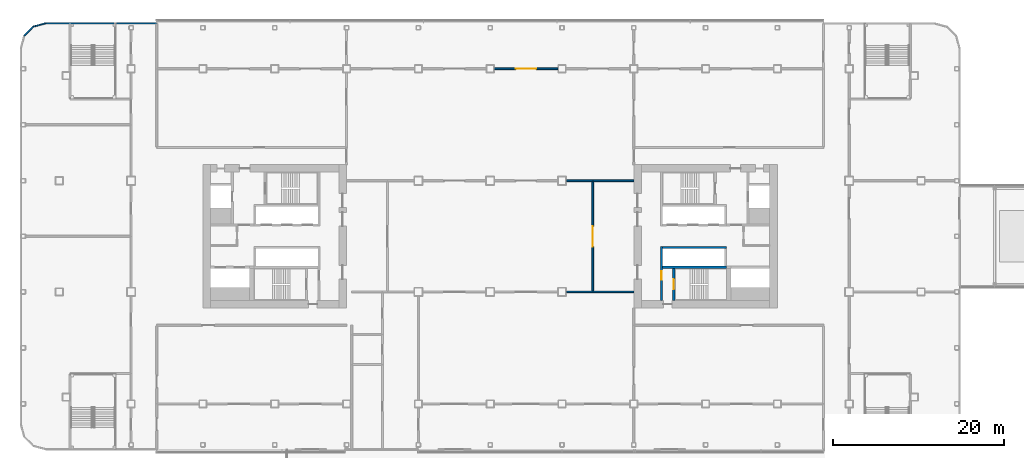
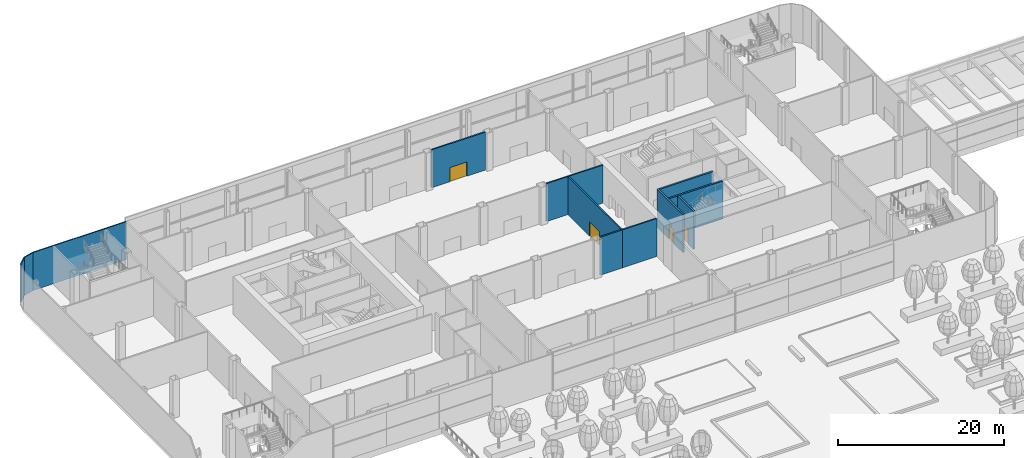
# One storey, part 35 of 100: 13 walls, 4 doors, 4 openings.
"""IFC4 building model written with IfcOpenShell, lengths in metres."""

import ifcopenshell
import ifcopenshell.guid

model = None  # the IFC model being written
_history = None  # IfcOwnerHistory: only IFC2X3 demands one
_inside = {}  # id of a spatial element -> (the spatial element, [elements in it])
_under = {}  # id of a project, library or spatial element -> (it, [spatial elements below it])
_declared = {}  # id of a project -> (the project, [libraries it declares])
_typed = {}  # id of a type object -> (the type object, [elements of that type])
_made_of = {}  # id of a material, layer set ... -> (it, [elements and type objects made of it])


def new_model(schema):
    """Start an empty IFC model of exactly this schema.

    Asked for "IFC4X3", IfcOpenShell would pick the latest addendum, in which some entities
    have other attributes; the version numbers below select the first issue.
    IFC2X3 requires an IfcOwnerHistory on every rooted entity: one is made here for all.
    """
    global model, _history
    if schema == "IFC4X3":
        model = ifcopenshell.file(schema_version=(4, 3, 0, 0))
    else:
        model = ifcopenshell.file(schema=schema)
    _inside.clear()
    _under.clear()
    _declared.clear()
    _typed.clear()
    _made_of.clear()
    _history = None
    if model.schema == "IFC2X3":
        org = make("IfcOrganization", Name="unknown")
        user = make(
            "IfcPersonAndOrganization",
            ThePerson=make("IfcPerson", FamilyName="unknown"),
            TheOrganization=org,
        )
        app = make(
            "IfcApplication",
            ApplicationDeveloper=org,
            Version="unknown",
            ApplicationFullName="unknown",
            ApplicationIdentifier="unknown",
        )
        _history = make(
            "IfcOwnerHistory",
            OwningUser=user,
            OwningApplication=app,
            ChangeAction="ADDED",
            CreationDate=0,
        )
    return model


def make(cls, **values):
    """One entity of the class cls with the attributes given. An attribute that is None is left unset."""
    return model.create_entity(
        cls, **{name: value for name, value in values.items() if value is not None}
    )


def rooted(cls, **values):
    """An entity with a GlobalId (a new one), such as an element, a storey or a relation."""
    return make(cls, GlobalId=ifcopenshell.guid.new(), OwnerHistory=_history, **values)


def si_unit(unit_type, name, prefix=None):
    """IfcSIUnit, for example si_unit("LENGTHUNIT", "METRE", prefix="MILLI")."""
    return make("IfcSIUnit", UnitType=unit_type, Prefix=prefix, Name=name)


def assignment(units):
    """IfcUnitAssignment: the units of a project."""
    return None if units is None else make("IfcUnitAssignment", Units=units)


def point(xyz):
    """IfcCartesianPoint."""
    return None if xyz is None else make("IfcCartesianPoint", Coordinates=xyz)


def direction(xyz):
    """IfcDirection."""
    return None if xyz is None else make("IfcDirection", DirectionRatios=xyz)


def frame(location, z_axis=None, x_axis=None):
    """IfcAxis2Placement3D, a coordinate frame: its origin and axes. An axis left out is left unset."""
    return make(
        "IfcAxis2Placement3D",
        Location=point(location),
        Axis=direction(z_axis),
        RefDirection=direction(x_axis),
    )


def frame_2d(location, x_axis=None):
    """IfcAxis2Placement2D, a coordinate frame in the plane: its origin and x axis."""
    return make(
        "IfcAxis2Placement2D", Location=point(location), RefDirection=direction(x_axis)
    )


def origin():
    """The frame at (0, 0, 0) with its axes left unset."""
    return frame((0.0, 0.0, 0.0))


def place(relative_to, where):
    """IfcLocalPlacement: puts the frame where relative to a parent placement (None: the world)."""
    return make(
        "IfcLocalPlacement", PlacementRelTo=relative_to, RelativePlacement=where
    )


def context(
    kind, dimensions, precision=None, world=None, true_north=None, identifier=None
):
    """IfcGeometricRepresentationContext, for example the 3D "Model" context."""
    return make(
        "IfcGeometricRepresentationContext",
        ContextIdentifier=identifier,
        ContextType=kind,
        CoordinateSpaceDimension=dimensions,
        Precision=precision,
        WorldCoordinateSystem=world,
        TrueNorth=true_north,
    )


def subcontext(parent, identifier, kind, view, scale=None):
    """IfcGeometricRepresentationSubContext, for example "Body" below "Model"."""
    return make(
        "IfcGeometricRepresentationSubContext",
        ContextIdentifier=identifier,
        ContextType=kind,
        ParentContext=parent,
        TargetScale=scale,
        TargetView=view,
    )


def project(units=None, contexts=None):
    """IfcProject with its units and contexts."""
    return rooted(
        "IfcProject",
        Name="project",
        RepresentationContexts=contexts,
        UnitsInContext=assignment(units),
    )


def spatial(cls, under=None, at=None, **own):
    """A site, building, storey or space (cls), placed at a placement, below another one or the project."""
    s = rooted(cls, ObjectPlacement=at, **own)
    if under is not None:
        _under.setdefault(under.id(), (under, []))[1].append(s)
    return s


def profile(cls, at=None, kind="AREA", **sizes):
    """A parametric profile (cls). Its sizes go by their IFC names, for example OverallWidth=200.0."""
    return make(cls, ProfileType=kind, Position=at, **sizes)


def rectangle(**sizes):
    """IfcRectangleProfileDef."""
    return profile("IfcRectangleProfileDef", **sizes)


def extrude(swept, where, along, depth):
    """IfcExtrudedAreaSolid: the profile swept, set in the frame where, extruded along a direction by depth."""
    return make(
        "IfcExtrudedAreaSolid",
        SweptArea=swept,
        Position=where,
        ExtrudedDirection=direction(along),
        Depth=depth,
    )


def shape(context_of_items, identifier, shape_type, items):
    """IfcShapeRepresentation: the items that make up one representation, for example the "Body"."""
    return make(
        "IfcShapeRepresentation",
        ContextOfItems=context_of_items,
        RepresentationIdentifier=identifier,
        RepresentationType=shape_type,
        Items=items,
    )


def material(Name=None, Category=None):
    """IfcMaterial."""
    return make("IfcMaterial", Name=Name, Category=Category)


def layer(
    of_material, thickness, ventilated=None, Name=None, Category=None, Priority=None
):
    """IfcMaterialLayer: one layer of a wall or slab, of a material (None: an air gap)."""
    return make(
        "IfcMaterialLayer",
        Material=of_material,
        LayerThickness=thickness,
        IsVentilated=ventilated,
        Name=Name,
        Category=Category,
        Priority=Priority,
    )


def layer_set(layers, Name=None):
    """IfcMaterialLayerSet."""
    return make("IfcMaterialLayerSet", MaterialLayers=layers, LayerSetName=Name)


def made_of(thing, what):
    """Note that an element or type object is made of a material, layer set ...; save() writes the relation."""
    if what is not None:
        _made_of.setdefault(what.id(), (what, []))[1].append(thing)
    return thing


def type_object(cls, material=None, **own):
    """A type object (cls), such as IfcWallType, which elements share."""
    return made_of(rooted(cls, **own), material)


def element(
    cls,
    number,
    at=None,
    inside=None,
    cuts=None,
    type_object=None,
    material=None,
    context=None,
    identifier="Body",
    shape_type=None,
    held_by="IfcProductDefinitionShape",
    body=None,
    shapes=None,
    **own,
):
    """One element of the class cls, such as IfcWall. Its Tag is "e" and its number.

    at: its placement. inside: the storey or other place that contains it. cuts: it is an
    opening in that element (IfcRelVoidsElement). A single representation is given by context,
    identifier, shape_type and body (its items); several are given by shapes. held_by: the class
    of the entity that holds the representations. save() writes the other relations.
    """
    e = rooted(cls, Tag="e%d" % number, ObjectPlacement=at, **own)
    if body is not None:
        shapes = [shape(context, identifier, shape_type, body)]
    if shapes is not None:
        e.Representation = make(held_by, Representations=shapes)
    if inside is not None:
        _inside.setdefault(inside.id(), (inside, []))[1].append(e)
    if cuts is not None:
        rooted(
            "IfcRelVoidsElement", RelatingBuildingElement=cuts, RelatedOpeningElement=e
        )
    if type_object is not None:
        _typed.setdefault(type_object.id(), (type_object, []))[1].append(e)
    return made_of(e, material)


def fill(opening, filler):
    """IfcRelFillsElement: the door or window that sits in an opening."""
    return rooted(
        "IfcRelFillsElement",
        RelatingOpeningElement=opening,
        RelatedBuildingElement=filler,
    )


def aggregate(whole, parts):
    """IfcRelAggregates: a whole, such as a stair, and the parts it consists of."""
    return rooted("IfcRelAggregates", RelatingObject=whole, RelatedObjects=parts)


def save(model, path):
    """Write the relations noted so far, then the file.

    IfcRelAggregates (storeys below a building ...), IfcRelContainedInSpatialStructure (elements
    in a storey), IfcRelDefinesByType, IfcRelAssociatesMaterial and IfcRelDeclares: one each for
    every whole, place, type object, material and project.
    """
    for whole, parts in _under.values():
        aggregate(whole, parts)
    for where, things in _inside.values():
        rooted(
            "IfcRelContainedInSpatialStructure",
            RelatedElements=things,
            RelatingStructure=where,
        )
    for kind, things in _typed.values():
        rooted("IfcRelDefinesByType", RelatedObjects=things, RelatingType=kind)
    for what, things in _made_of.values():
        rooted("IfcRelAssociatesMaterial", RelatedObjects=things, RelatingMaterial=what)
    for by, libraries in _declared.values():
        rooted("IfcRelDeclares", RelatingContext=by, RelatedDefinitions=libraries)
    model.write(path)


model = new_model("IFC4")

# Units and contexts
model_context = context("Model", 3, precision=1e-05, world=origin(), true_north=direction((0.0, 1.0)))
body_context = subcontext(model_context, "Body", "Model", "MODEL_VIEW")
ifc_project = project(units=[si_unit("LENGTHUNIT", "METRE"), si_unit("AREAUNIT", "SQUARE_METRE"), si_unit("VOLUMEUNIT", "CUBIC_METRE"), si_unit("PLANEANGLEUNIT", "RADIAN"), si_unit("MASSUNIT", "GRAM", prefix="KILO")], contexts=[model_context])

# Site, building, storey
site_placement = place(None, origin())
site = spatial("IfcSite", under=ifc_project, at=site_placement, CompositionType="ELEMENT")
building_placement = place(site_placement, origin())
building = spatial("IfcBuilding", under=site, at=building_placement, Name="Hakoniwa Tower and Hamabe Station Hall", CompositionType="ELEMENT")
storey_placement = place(building_placement, frame((0.0, 0.0, 9.0)))
storey = spatial("IfcBuildingStorey", under=building, at=storey_placement, Name="L02", CompositionType="ELEMENT", Elevation=9.0)

# Wall, opening, door
ifc_material_1 = material(Name="Concrete C80", Category="concrete")
ifc_layer_1 = layer(ifc_material_1, 0.25)
ifc_layer_set_1 = layer_set([ifc_layer_1], Name="CORE WEB WALL 250 C80")
wall_type_1 = type_object("IfcWallType", Name="CORE WEB WALL 250 C80", PredefinedType="SHEAR", material=ifc_layer_set_1)
wall_1_placement = place(storey_placement, frame((20.02490234375, -7.5, 0.0), z_axis=(0.0, 0.0, 1.0), x_axis=(0.0, 1.0, 0.0)))
wall_1 = element("IfcWall", 1, at=wall_1_placement, inside=storey, type_object=wall_type_1, Name="Core wall W1S east", PredefinedType="SHEAR", context=body_context, shape_type="SweptSolid", body=[
    extrude(rectangle(XDim=6.300048828125, YDim=0.25, at=frame_2d((3.14990234375, 0.0))), origin(), (0.0, 0.0, 1.0), 5.60009765625),
])
opening_1_placement = place(wall_1_placement, frame((2.39990234375, 0.0, 0.0)))
opening_1 = element("IfcOpeningElement", 2, at=opening_1_placement, cuts=wall_1, Name="Opening CD-E-VS-10", PredefinedType="OPENING", context=body_context, shape_type="SweptSolid", body=[
    extrude(rectangle(XDim=1.0, YDim=2.10009765625, at=frame_2d((0.5, 1.050048828125))), frame((0.0, 0.135009765625, 0.0), z_axis=(0.0, -1.0, 0.0), x_axis=(1.0, 0.0, 0.0)), (0.0, 0.0, 1.0), 0.27001953125),
])
ifc_material_2 = material(Name="Steel fire door", Category="steel")
door_type_1 = type_object("IfcDoorType", Name="CORE DOOR 1000 FD60", OperationType="NOTDEFINED", PredefinedType="DOOR", material=ifc_material_2)
door_1_placement = place(opening_1_placement, origin())
door_1 = element("IfcDoor", 3, at=door_1_placement, inside=storey, type_object=door_type_1, Name="Stair vestibule door", OperationType="SINGLE_SWING_RIGHT", OverallHeight=2.10009765625, OverallWidth=1.0, PredefinedType="DOOR", context=body_context, shape_type="SweptSolid", body=[
    extrude(rectangle(XDim=1.0, YDim=2.10009765625, at=frame_2d((0.5, 1.050048828125))), frame((0.0, 0.02490234375, 0.0), z_axis=(0.0, -1.0, 0.0), x_axis=(1.0, 0.0, 0.0)), (0.0, 0.0, 1.0), 0.050048828125),
])
fill(opening_1, door_1)

# Walls
for number, where, z_axis, x_axis, name in (
    (4, (20.14990234375, -1.324951171875, 0.0), (0.0, 0.0, 1.0), (1.0, 0.0, 0.0), "Core wall SF east"),
    (5, (20.14990234375, -3.625, 0.0), (0.0, 0.0, 1.0), (1.0, 0.0, 0.0), "Core wall SR east"),
):
    element("IfcWall", number, at=place(storey_placement, frame(where, z_axis=z_axis, x_axis=x_axis)), inside=storey, type_object=wall_type_1, Name=name, PredefinedType="SHEAR", context=body_context, shape_type="SweptSolid", body=[
        extrude(rectangle(XDim=7.5, YDim=0.25, at=frame_2d((3.75, 0.0))), origin(), (0.0, 0.0, 1.0), 5.60009765625),
    ])

# Wall, opening, door
wall_2_placement = place(storey_placement, frame((21.47509765625, -7.5, 0.0), z_axis=(0.0, 0.0, 1.0), x_axis=(0.0, 1.0, 0.0)))
wall_2 = element("IfcWall", 6, at=wall_2_placement, inside=storey, type_object=wall_type_1, Name="Core wall VE east", PredefinedType="SHEAR", context=body_context, shape_type="SweptSolid", body=[
    extrude(rectangle(XDim=3.75, YDim=0.25, at=frame_2d((1.875, 0.0))), origin(), (0.0, 0.0, 1.0), 5.60009765625),
])
opening_2_placement = place(wall_2_placement, frame((1.300048828125, 0.0, 0.0)))
opening_2 = element("IfcOpeningElement", 7, at=opening_2_placement, cuts=wall_2, Name="Opening CD-E-SS-12", PredefinedType="OPENING", context=body_context, shape_type="SweptSolid", body=[
    extrude(rectangle(XDim=1.199951171875, YDim=2.10009765625, at=frame_2d((0.60009765625, 1.050048828125))), frame((0.0, 0.135009765625, 0.0), z_axis=(0.0, -1.0, 0.0), x_axis=(1.0, 0.0, 0.0)), (0.0, 0.0, 1.0), 0.27001953125),
])
ifc_material_3 = material(Name="Steel fire door", Category="steel")
door_type_2 = type_object("IfcDoorType", Name="CORE DOOR 1200 FD60", OperationType="DOUBLE_DOOR_SINGLE_SWING", PredefinedType="DOOR", material=ifc_material_3)
door_2_placement = place(opening_2_placement, origin())
door_2 = element("IfcDoor", 8, at=door_2_placement, inside=storey, type_object=door_type_2, Name="Escape stair door", OperationType="DOUBLE_DOOR_SINGLE_SWING", OverallHeight=2.10009765625, OverallWidth=1.199951171875, PredefinedType="DOOR", context=body_context, shape_type="SweptSolid", body=[
    extrude(rectangle(XDim=1.199951171875, YDim=2.10009765625, at=frame_2d((0.60009765625, 1.050048828125))), frame((0.0, 0.02490234375, 0.0), z_axis=(0.0, -1.0, 0.0), x_axis=(1.0, 0.0, 0.0)), (0.0, 0.0, 1.0), 0.050048828125),
])
fill(opening_2, door_2)

# Walls
ifc_material_4 = material(Name="Dark glass-faced aluminium panel", Category="aluminium")
ifc_layer_2 = layer(ifc_material_4, 0.14990234375)
ifc_layer_set_2 = layer_set([ifc_layer_2], Name="EXTERNAL WALL 150 EI 60")
wall_type_2 = type_object("IfcWallType", Name="EXTERNAL WALL 150 EI 60", PredefinedType="STANDARD", material=ifc_layer_set_2)
wall_3_placement = place(storey_placement, frame((-54.5166015625, 23.475341796875, 0.0), z_axis=(0.0, 0.0, 1.0), x_axis=(0.707106781187, 0.707106781187, 0.0)))
element("IfcWall", 9, at=wall_3_placement, inside=storey, type_object=wall_type_2, Name="External wall L02 10-1", PredefinedType="STANDARD", context=body_context, shape_type="SweptSolid", body=[
    extrude(rectangle(XDim=1.47265625, YDim=0.14990234375, at=frame_2d((0.736328125, 0.0))), origin(), (0.0, 0.0, 1.0), 5.60009765625),
])
wall_4_placement = place(storey_placement, frame((-53.441650390625, 24.5361328125, 0.0), z_axis=(0.0, 0.0, 1.0), x_axis=(0.965946591624, 0.258741535379, 0.0)))
element("IfcWall", 10, at=wall_4_placement, inside=storey, type_object=wall_type_2, Name="External wall L02 11-1", PredefinedType="STANDARD", context=body_context, shape_type="SweptSolid", body=[
    extrude(rectangle(XDim=1.49267578125, YDim=0.14990234375, at=frame_2d((0.746337890625, 0.0))), origin(), (0.0, 0.0, 1.0), 5.60009765625),
])
wall_5_placement = place(storey_placement, frame((-51.980224609375, 24.925048828125, 0.0), z_axis=(0.0, 0.0, 1.0), x_axis=(1.0, 0.0, 0.0)))
element("IfcWall", 11, at=wall_5_placement, inside=storey, type_object=wall_type_2, Name="External wall L02 12-1", PredefinedType="STANDARD", context=body_context, shape_type="SweptSolid", body=[
    extrude(rectangle(XDim=12.980224609375, YDim=0.14990234375, at=frame_2d((6.490234375, 0.0))), origin(), (0.0, 0.0, 1.0), 5.60009765625),
])

# Wall, opening, door
ifc_material_5 = material(Name="Fire-rated gypsum board partition")
ifc_layer_3 = layer(ifc_material_5, 0.199951171875)
ifc_layer_set_3 = layer_set([ifc_layer_3], Name="FIRE PARTITION 200 EI 60")
wall_type_3 = type_object("IfcWallType", Name="FIRE PARTITION 200 EI 60", PredefinedType="PARTITIONING", material=ifc_layer_set_3)
wall_6_placement = place(storey_placement, frame((0.449951171875, 19.60009765625, 0.0), z_axis=(0.0, 0.0, 1.0), x_axis=(1.0, 0.0, 0.0)))
wall_6 = element("IfcWall", 12, at=wall_6_placement, inside=storey, type_object=wall_type_3, Name="Wall Banquet Pre-function Foyer / Banquet Terrace Gallery", PredefinedType="PARTITIONING", context=body_context, shape_type="SweptSolid", body=[
    extrude(rectangle(XDim=7.5, YDim=0.199951171875, at=frame_2d((3.75, 0.0))), origin(), (0.0, 0.0, 1.0), 5.60009765625),
])
opening_3_placement = place(wall_6_placement, frame((2.550048828125, 0.0, 0.0)))
opening_3 = element("IfcOpeningElement", 13, at=opening_3_placement, cuts=wall_6, Name="Opening PD-L02-024", PredefinedType="OPENING", context=body_context, shape_type="SweptSolid", body=[
    extrude(rectangle(XDim=2.39990234375, YDim=2.10009765625, at=frame_2d((1.199951171875, 1.050048828125))), frame((0.0, 0.10986328125, 0.0), z_axis=(0.0, -1.0, 0.0), x_axis=(1.0, 0.0, 0.0)), (0.0, 0.0, 1.0), 0.219970703125),
])
ifc_material_6 = material(Name="Glazed aluminium door", Category="aluminium")
door_type_3 = type_object("IfcDoorType", Name="DOUBLE GLAZED DOOR 2400X2100", OperationType="DOUBLE_DOOR_DOUBLE_SWING", PredefinedType="DOOR", material=ifc_material_6)
door_3_placement = place(opening_3_placement, origin())
door_3 = element("IfcDoor", 14, at=door_3_placement, inside=storey, type_object=door_type_3, Name="Door PD-L02-024", OperationType="DOUBLE_DOOR_DOUBLE_SWING", OverallHeight=2.10009765625, OverallWidth=2.39990234375, PredefinedType="DOOR", context=body_context, shape_type="SweptSolid", body=[
    extrude(rectangle(XDim=2.39990234375, YDim=2.10009765625, at=frame_2d((1.199951171875, 1.050048828125))), frame((0.0, 0.02490234375, 0.0), z_axis=(0.0, -1.0, 0.0), x_axis=(1.0, 0.0, 0.0)), (0.0, 0.0, 1.0), 0.050048828125),
])
fill(opening_3, door_3)

# Walls
wall_7_placement = place(storey_placement, frame((12.0, -6.5, 0.0), z_axis=(0.0, 0.0, 1.0), x_axis=(1.0, 0.0, 0.0)))
element("IfcWall", 15, at=wall_7_placement, inside=storey, type_object=wall_type_3, Name="Wall Garden Tea Room / Guest Lift Hall East", PredefinedType="PARTITIONING", context=body_context, shape_type="SweptSolid", body=[
    extrude(rectangle(XDim=4.800048828125, YDim=0.199951171875, at=frame_2d((2.39990234375, 0.0))), origin(), (0.0, 0.0, 1.0), 5.60009765625),
])
wall_8_placement = place(storey_placement, frame((8.89990234375, -6.5, 0.0), z_axis=(0.0, 0.0, 1.0), x_axis=(1.0, 0.0, 0.0)))
element("IfcWall", 16, at=wall_8_placement, inside=storey, type_object=wall_type_3, Name="Wall Garden Tea Room / Library Lounge", PredefinedType="PARTITIONING", context=body_context, shape_type="SweptSolid", body=[
    extrude(rectangle(XDim=3.10009765625, YDim=0.199951171875, at=frame_2d((1.550048828125, 0.0))), origin(), (0.0, 0.0, 1.0), 5.60009765625),
])
wall_9_placement = place(storey_placement, frame((12.0, 6.5, 0.0), z_axis=(0.0, 0.0, 1.0), x_axis=(1.0, 0.0, 0.0)))
element("IfcWall", 17, at=wall_9_placement, inside=storey, type_object=wall_type_3, Name="Wall Guest Lift Hall East / Banquet Pre-function Foyer", PredefinedType="PARTITIONING", context=body_context, shape_type="SweptSolid", body=[
    extrude(rectangle(XDim=4.800048828125, YDim=0.199951171875, at=frame_2d((2.39990234375, 0.0))), origin(), (0.0, 0.0, 1.0), 5.60009765625),
])

# Wall, opening, door
wall_10_placement = place(storey_placement, frame((12.0, -6.39990234375, 0.0), z_axis=(0.0, 0.0, 1.0), x_axis=(0.0, 1.0, 0.0)))
wall_10 = element("IfcWall", 18, at=wall_10_placement, inside=storey, type_object=wall_type_3, Name="Wall Guest Lift Hall East / Library Lounge", PredefinedType="PARTITIONING", context=body_context, shape_type="SweptSolid", body=[
    extrude(rectangle(XDim=12.7998046875, YDim=0.199951171875, at=frame_2d((6.39990234375, 0.0))), origin(), (0.0, 0.0, 1.0), 5.60009765625),
])
opening_4_placement = place(wall_10_placement, frame((5.199951171875, 0.0, 0.0)))
opening_4 = element("IfcOpeningElement", 19, at=opening_4_placement, cuts=wall_10, Name="Opening PD-L02-004", PredefinedType="OPENING", context=body_context, shape_type="SweptSolid", body=[
    extrude(rectangle(XDim=2.39990234375, YDim=2.10009765625, at=frame_2d((1.199951171875, 1.050048828125))), frame((0.0, 0.10986328125, 0.0), z_axis=(0.0, -1.0, 0.0), x_axis=(1.0, 0.0, 0.0)), (0.0, 0.0, 1.0), 0.219970703125),
])
door_4_placement = place(opening_4_placement, origin())
door_4 = element("IfcDoor", 20, at=door_4_placement, inside=storey, type_object=door_type_3, Name="Door PD-L02-004", OperationType="DOUBLE_DOOR_DOUBLE_SWING", OverallHeight=2.10009765625, OverallWidth=2.39990234375, PredefinedType="DOOR", context=body_context, shape_type="SweptSolid", body=[
    extrude(rectangle(XDim=2.39990234375, YDim=2.10009765625, at=frame_2d((1.199951171875, 1.050048828125))), frame((0.0, 0.02490234375, 0.0), z_axis=(0.0, -1.0, 0.0), x_axis=(1.0, 0.0, 0.0)), (0.0, 0.0, 1.0), 0.050048828125),
])
fill(opening_4, door_4)

# Wall
wall_11_placement = place(storey_placement, frame((8.89990234375, 6.5, 0.0), z_axis=(0.0, 0.0, 1.0), x_axis=(1.0, 0.0, 0.0)))
element("IfcWall", 21, at=wall_11_placement, inside=storey, type_object=wall_type_3, Name="Wall Library Lounge / Banquet Pre-function Foyer", PredefinedType="PARTITIONING", context=body_context, shape_type="SweptSolid", body=[
    extrude(rectangle(XDim=3.10009765625, YDim=0.199951171875, at=frame_2d((1.550048828125, 0.0))), origin(), (0.0, 0.0, 1.0), 5.60009765625),
])

save(model, "model.ifc")
